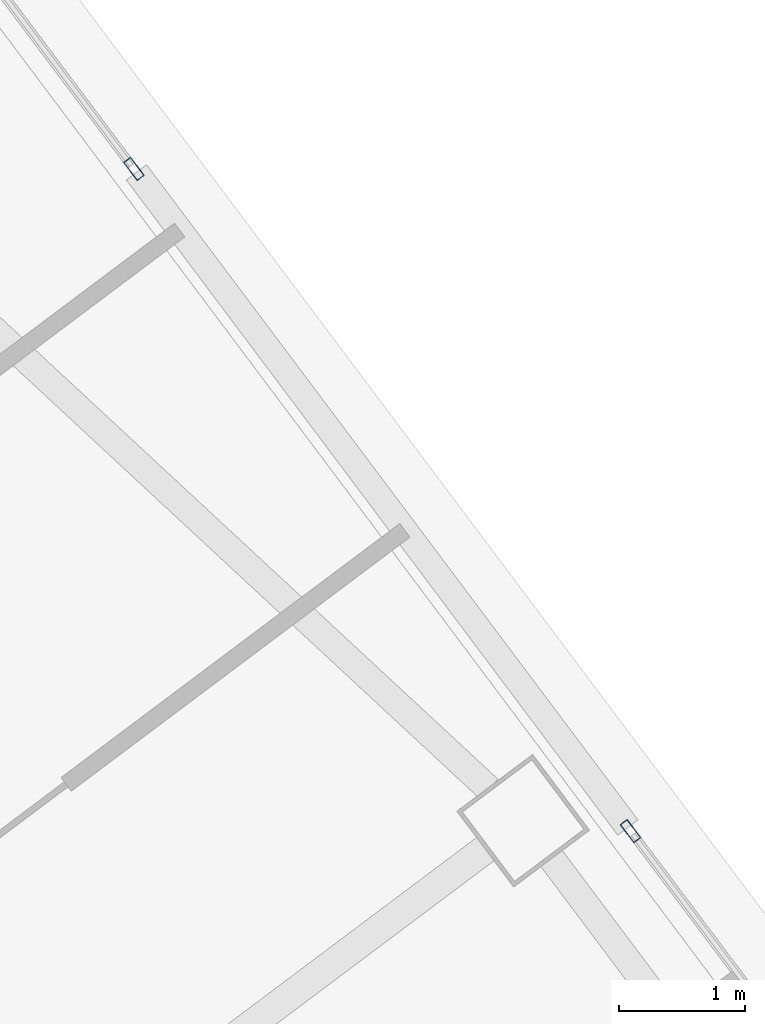
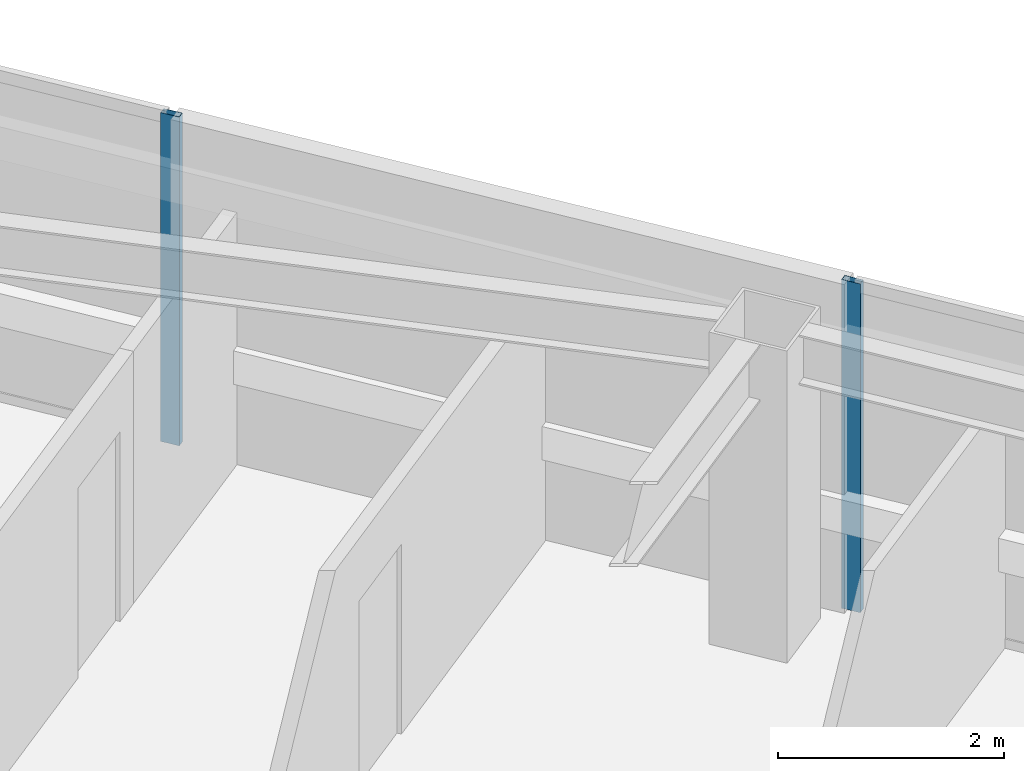
# One storey, part 29 of 41: 2 members, 2 elements without a shape of their own.
"""IFC4 building model written with IfcOpenShell, lengths in metres."""

from ifc_helpers import new_model, si_unit, direction, frame, origin, origin_2d, place, context, subcontext, project, spatial, hollow_rectangle, extrude, material, material_profile, profile_set, type_object, element, aggregate, save


model = new_model("IFC4")

# Units and contexts
model_context = context("Model", 3, precision=1e-05, world=origin(), true_north=direction((0.0, 1.0)))
body_context = subcontext(model_context, "Body", "Model", "MODEL_VIEW")
ifc_project = project(units=[si_unit("LENGTHUNIT", "METRE"), si_unit("AREAUNIT", "SQUARE_METRE"), si_unit("VOLUMEUNIT", "CUBIC_METRE"), si_unit("PLANEANGLEUNIT", "RADIAN"), si_unit("MASSUNIT", "GRAM", prefix="KILO")], contexts=[model_context])

# Site, building, storey
site_placement = place(None, origin())
site = spatial("IfcSite", under=ifc_project, at=site_placement, CompositionType="ELEMENT")
building_placement = place(site_placement, origin())
building = spatial("IfcBuilding", under=site, at=building_placement, Name="Tashvorn Skyway Center", CompositionType="ELEMENT")
storey_placement = place(building_placement, frame((0.0, 0.0, 171.199951171875)))
storey = spatial("IfcBuildingStorey", under=building, at=storey_placement, Name="L46", CompositionType="ELEMENT", Elevation=171.199951171875)

# Curtain wall, member
ifc_material = material(Name="Thermally broken bronze-anodized aluminium 6063-T6", Category="aluminium")
curtain_wall_type = type_object("IfcCurtainWallType", Name="CW-CW-Z4", PredefinedType="NOTDEFINED", material=ifc_material)
curtain_wall_1_placement = place(storey_placement, origin())
curtain_wall_1 = element("IfcCurtainWall", 1, at=curtain_wall_1_placement, inside=storey, type_object=curtain_wall_type, Name="Tower 2 L46 East Unitised Curtain Wall Glazing Group 1", PredefinedType="NOTDEFINED")
ifc_material_profile = material_profile(ifc_material, hollow_rectangle(XDim=0.070068359375, YDim=0.179931640625, WallThickness=0.00390625, at=origin_2d()), Name="ALU-MULL-70x180")
ifc_profile_set = profile_set([ifc_material_profile], Name="Thermally broken bronze-anodized aluminium 6063-T6")
member_type = type_object("IfcMemberType", Name="CWM-CW-Z4", PredefinedType="MULLION", material=ifc_profile_set)
member_1_placement = place(storey_placement, frame((120.59912109375, 51.16796875, 0.0), z_axis=(0.0, 0.0, 1.0), x_axis=(0.799999999998, 0.600000000002, 0.0)))
member_1 = element("IfcMember", 2, at=member_1_placement, type_object=member_type, Name="CW-Z4 mullion 2", PredefinedType="MULLION", context=body_context, shape_type="SweptSolid", body=[
    extrude(hollow_rectangle(XDim=0.070068359375, YDim=0.179931640625, WallThickness=0.00390625, at=origin_2d()), origin(), (0.0, 0.0, 1.0), 3.550048828125),
])
aggregate(curtain_wall_1, [member_1])

curtain_wall_2_placement = place(storey_placement, origin())
curtain_wall_2 = element("IfcCurtainWall", 3, at=curtain_wall_2_placement, inside=storey, type_object=curtain_wall_type, Name="Tower 2 L46 East Unitised Curtain Wall Glazing Group 2", PredefinedType="NOTDEFINED")
member_2_placement = place(storey_placement, frame((124.529052734375, 45.927978515625, 0.0), z_axis=(0.0, 0.0, 1.0), x_axis=(0.799999999998, 0.600000000002, 0.0)))
member_2 = element("IfcMember", 4, at=member_2_placement, type_object=member_type, Name="CW-Z4 mullion 1", PredefinedType="MULLION", context=body_context, shape_type="SweptSolid", body=[
    extrude(hollow_rectangle(XDim=0.070068359375, YDim=0.179931640625, WallThickness=0.00390625, at=origin_2d()), origin(), (0.0, 0.0, 1.0), 3.550048828125),
])
aggregate(curtain_wall_2, [member_2])

save(model, "model.ifc")
